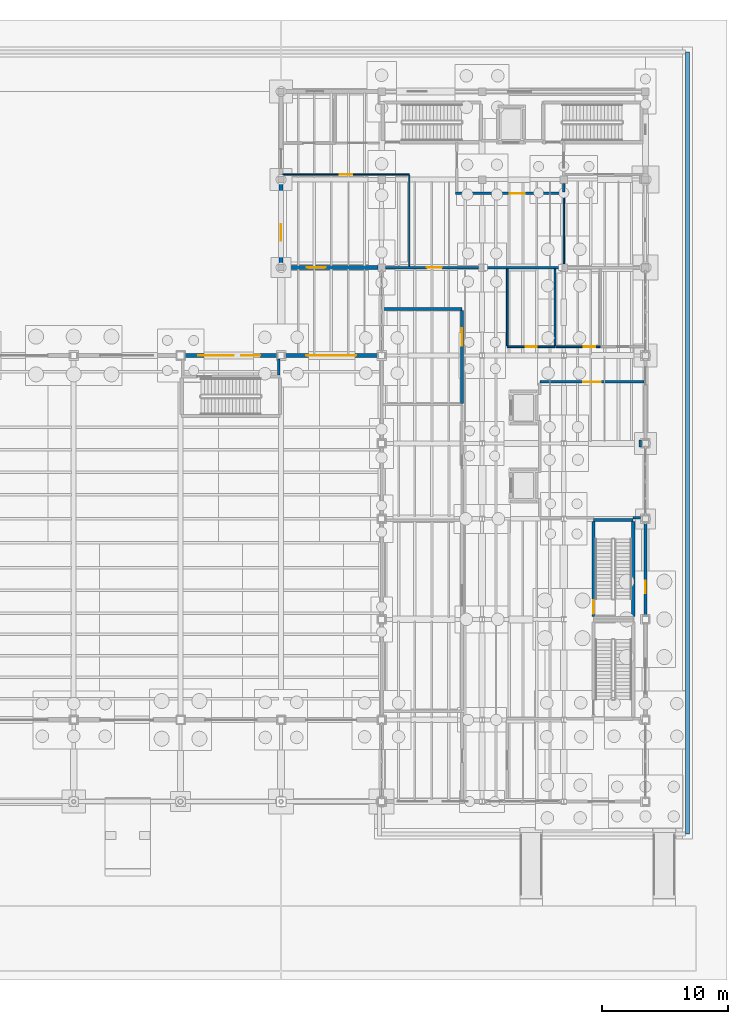
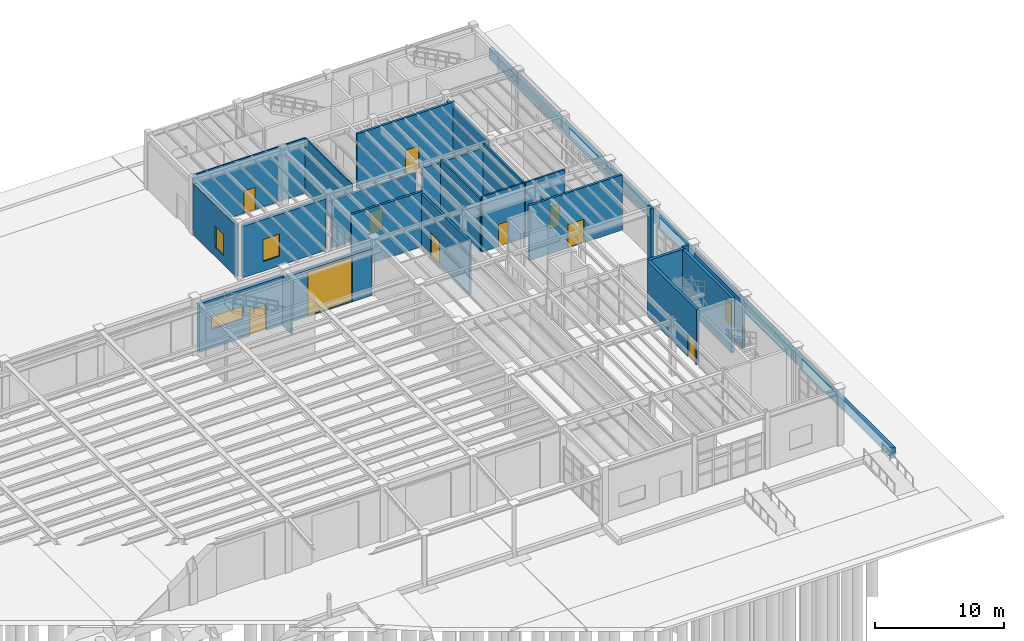
# One storey, part 69 of 86: 26 walls, 10 doors, 4 windows, 14 openings.
"""IFC4 building model written with IfcOpenShell, lengths in metres."""

from ifc_helpers import new_model, si_unit, direction, frame, frame_2d, origin, place, context, subcontext, project, spatial, rectangle, extrude, material, layer, layer_set, type_object, element, fill, save


model = new_model("IFC4")

# Units and contexts
model_context = context("Model", 3, precision=1e-05, world=origin(), true_north=direction((0.0, 1.0)))
body_context = subcontext(model_context, "Body", "Model", "MODEL_VIEW")
ifc_project = project(units=[si_unit("LENGTHUNIT", "METRE"), si_unit("AREAUNIT", "SQUARE_METRE"), si_unit("VOLUMEUNIT", "CUBIC_METRE"), si_unit("PLANEANGLEUNIT", "RADIAN"), si_unit("MASSUNIT", "GRAM", prefix="KILO"), si_unit("THERMODYNAMICTEMPERATUREUNIT", "KELVIN"), si_unit("POWERUNIT", "WATT")], contexts=[model_context])

# Site, building, storey
site_placement = place(None, origin())
site = spatial("IfcSite", under=ifc_project, at=site_placement, CompositionType="ELEMENT")
building_placement = place(site_placement, origin())
building = spatial("IfcBuilding", under=site, at=building_placement, Name="Zhenchuan Central Fire Station", CompositionType="ELEMENT")
storey_placement = place(building_placement, frame((0.0, 0.0, 0.449951171875)))
storey = spatial("IfcBuildingStorey", under=building, at=storey_placement, Name="L01", CompositionType="ELEMENT", Elevation=0.449951171875)

# Wall, opening, window
ifc_material_1 = material(Name="Sintered clay brick masonry MU15", Category="masonry")
ifc_layer_1 = layer(ifc_material_1, 0.300048828125, Name="Sintered clay brick masonry MU15", Category="masonry")
ifc_layer_set_1 = layer_set([ifc_layer_1], Name="Sintered clay brick masonry MU15")
wall_type_1 = type_object("IfcWallType", Name="EW-BRK300", PredefinedType="SOLIDWALL", material=ifc_layer_set_1)
wall_1_placement = place(storey_placement, frame((132.0, 42.75, 0.0), z_axis=(0.0, 0.0, 1.0), x_axis=(0.0, 1.0, 0.0)))
wall_1 = element("IfcWall", 1, at=wall_1_placement, inside=storey, type_object=wall_type_1, Name="EW-L01-V6W-0", PredefinedType="SOLIDWALL", context=body_context, shape_type="SweptSolid", body=[
    extrude(rectangle(XDim=6.5, YDim=0.300048828125, at=frame_2d((3.25, 0.0))), origin(), (0.0, 0.0, 1.0), 4.85400390625),
])
opening_1_placement = place(wall_1_placement, frame((1.89990234375, 0.0, 0.85009765625)))
opening_1 = element("IfcOpeningElement", 2, at=opening_1_placement, cuts=wall_1, Name="Opening W-33", PredefinedType="OPENING", context=body_context, shape_type="SweptSolid", body=[
    extrude(rectangle(XDim=1.300048828125, YDim=2.0, at=frame_2d((0.64990234375, 1.0))), frame((0.0, 0.159912109375, 0.0), z_axis=(0.0, -1.0, 0.0), x_axis=(1.0, 0.0, 0.0)), (0.0, 0.0, 1.0), 0.320068359375),
])
ifc_material_2 = material(Name="Laminated low-E double glazing in aluminium frame", Category="aluminium")
window_type_1 = type_object("IfcWindowType", Name="WN-33", PartitioningType="SINGLE_PANEL", PredefinedType="WINDOW", material=ifc_material_2)
window_1_placement = place(opening_1_placement, origin())
window_1 = element("IfcWindow", 3, at=window_1_placement, inside=storey, type_object=window_type_1, Name="Exterior Window 0104", OverallHeight=2.0, OverallWidth=1.300048828125, PartitioningType="SINGLE_PANEL", PredefinedType="WINDOW", context=body_context, shape_type="SweptSolid", body=[
    extrude(rectangle(XDim=1.300048828125, YDim=2.0, at=frame_2d((0.64990234375, 1.0))), frame((0.0, 0.030029296875, 0.0), z_axis=(0.0, -1.0, 0.0), x_axis=(1.0, 0.0, 0.0)), (0.0, 0.0, 1.0), 0.06005859375),
])
fill(opening_1, window_1)

wall_2_placement = place(storey_placement, frame((132.25, 42.5, 0.0), z_axis=(0.0, 0.0, 1.0), x_axis=(1.0, 0.0, 0.0)))
wall_2 = element("IfcWall", 4, at=wall_2_placement, inside=storey, type_object=wall_type_1, Name="EW-L01-V6S-0", PredefinedType="SOLIDWALL", context=body_context, shape_type="SweptSolid", body=[
    extrude(rectangle(XDim=7.449951171875, YDim=0.300048828125, at=frame_2d((3.72509765625, 0.0))), origin(), (0.0, 0.0, 1.0), 4.85400390625),
])
opening_2_placement = place(wall_2_placement, frame((1.800048828125, 0.0, 0.89990234375)))
opening_2 = element("IfcOpeningElement", 5, at=opening_2_placement, cuts=wall_2, Name="Opening W-34", PredefinedType="OPENING", context=body_context, shape_type="SweptSolid", body=[
    extrude(rectangle(XDim=1.5, YDim=2.10009765625, at=frame_2d((0.75, 1.050048828125))), frame((0.0, 0.159912109375, 0.0), z_axis=(0.0, -1.0, 0.0), x_axis=(1.0, 0.0, 0.0)), (0.0, 0.0, 1.0), 0.320068359375),
])
window_type_2 = type_object("IfcWindowType", Name="WN-34", PartitioningType="SINGLE_PANEL", PredefinedType="WINDOW", material=ifc_material_2)
window_2_placement = place(opening_2_placement, origin())
window_2 = element("IfcWindow", 6, at=window_2_placement, inside=storey, type_object=window_type_2, Name="Exterior Window 0105", OverallHeight=2.10009765625, OverallWidth=1.5, PartitioningType="SINGLE_PANEL", PredefinedType="WINDOW", context=body_context, shape_type="SweptSolid", body=[
    extrude(rectangle(XDim=1.5, YDim=2.10009765625, at=frame_2d((0.75, 1.050048828125))), frame((0.0, 0.030029296875, 0.0), z_axis=(0.0, -1.0, 0.0), x_axis=(1.0, 0.0, 0.0)), (0.0, 0.0, 1.0), 0.06005859375),
])
fill(opening_2, window_2)

# Wall, openings, door, window
ifc_layer_2 = layer(ifc_material_1, 0.35009765625, Name="Sintered clay brick masonry MU15", Category="masonry")
ifc_layer_set_2 = layer_set([ifc_layer_2], Name="Sintered clay brick masonry MU15")
wall_type_2 = type_object("IfcWallType", Name="EW-BRK350", PredefinedType="SOLIDWALL", material=ifc_layer_set_2)
wall_3_placement = place(storey_placement, frame((124.324951171875, 35.5, 0.0), z_axis=(0.0, 0.0, 1.0), x_axis=(1.0, 0.0, 0.0)))
wall_3 = element("IfcWall", 7, at=wall_3_placement, inside=storey, type_object=wall_type_2, Name="Appliance Bay 09 North Sintered Brick Return Wall", PredefinedType="SOLIDWALL", context=body_context, shape_type="SweptSolid", body=[
    extrude(rectangle(XDim=7.400146484375, YDim=0.35009765625, at=frame_2d((3.7001953125, 0.0))), origin(), (0.0, 0.0, 1.0), 4.60595703125),
])
opening_3_placement = place(wall_3_placement, frame((4.5, 0.0, 0.0)))
opening_3 = element("IfcOpeningElement", 8, at=opening_3_placement, cuts=wall_3, Name="Opening EX-002", PredefinedType="OPENING", context=body_context, shape_type="SweptSolid", body=[
    extrude(rectangle(XDim=1.5, YDim=2.39990234375, at=frame_2d((0.75, 1.199951171875))), frame((0.0, 0.18505859375, 0.0), z_axis=(0.0, -1.0, 0.0), x_axis=(1.0, 0.0, 0.0)), (0.0, 0.0, 1.0), 0.3701171875),
])
opening_4_placement = place(wall_3_placement, frame((1.10009765625, 0.0, 1.800048828125)))
opening_4 = element("IfcOpeningElement", 9, at=opening_4_placement, cuts=wall_3, Name="Opening W-38", PredefinedType="OPENING", context=body_context, shape_type="SweptSolid", body=[
    extrude(rectangle(XDim=2.800048828125, YDim=1.199951171875, at=frame_2d((1.39990234375, 0.60009765625))), frame((0.0, 0.18505859375, 0.0), z_axis=(0.0, -1.0, 0.0), x_axis=(1.0, 0.0, 0.0)), (0.0, 0.0, 1.0), 0.3701171875),
])
ifc_material_3 = material(Name="Powder-coated steel fire exit door", Category="steel")
door_type_1 = type_object("IfcDoorType", Name="ED-150x240", OperationType="NOTDEFINED", PredefinedType="DOOR", material=ifc_material_3)
door_1_placement = place(opening_3_placement, origin())
door_1 = element("IfcDoor", 10, at=door_1_placement, inside=storey, type_object=door_type_1, Name="Appliance Bay 09 North Courtyard Exit Door", OperationType="SINGLE_SWING_RIGHT", OverallHeight=2.39990234375, OverallWidth=1.5, PredefinedType="DOOR", context=body_context, shape_type="SweptSolid", body=[
    extrude(rectangle(XDim=1.5, YDim=2.39990234375, at=frame_2d((0.75, 1.199951171875))), frame((0.0, 0.02490234375, 0.0), z_axis=(0.0, -1.0, 0.0), x_axis=(1.0, 0.0, 0.0)), (0.0, 0.0, 1.0), 0.050048828125),
])
fill(opening_3, door_1)
window_type_3 = type_object("IfcWindowType", Name="WN-38", PartitioningType="SINGLE_PANEL", PredefinedType="WINDOW", material=ifc_material_2)
window_3_placement = place(opening_4_placement, origin())
window_3 = element("IfcWindow", 11, at=window_3_placement, inside=storey, type_object=window_type_3, Name="Exterior Window 0002", OverallHeight=1.199951171875, OverallWidth=2.800048828125, PartitioningType="SINGLE_PANEL", PredefinedType="WINDOW", context=body_context, shape_type="SweptSolid", body=[
    extrude(rectangle(XDim=2.800048828125, YDim=1.199951171875, at=frame_2d((1.39990234375, 0.60009765625))), frame((0.0, 0.030029296875, 0.0), z_axis=(0.0, -1.0, 0.0), x_axis=(1.0, 0.0, 0.0)), (0.0, 0.0, 1.0), 0.06005859375),
])
fill(opening_4, window_3)

# Wall, opening, door
wall_4_placement = place(storey_placement, frame((132.27490234375, 35.5, 0.0), z_axis=(0.0, 0.0, 1.0), x_axis=(1.0, 0.0, 0.0)))
wall_4 = element("IfcWall", 12, at=wall_4_placement, inside=storey, type_object=wall_type_2, Name="Appliance Bay 10 North Sintered Brick Return Wall", PredefinedType="SOLIDWALL", context=body_context, shape_type="SweptSolid", body=[
    extrude(rectangle(XDim=7.4501953125, YDim=0.35009765625, at=frame_2d((3.72509765625, 0.0))), origin(), (0.0, 0.0, 1.0), 4.39404296875),
])
opening_5_placement = place(wall_4_placement, frame((1.72509765625, 0.0, 0.0)))
opening_5 = element("IfcOpeningElement", 13, at=opening_5_placement, cuts=wall_4, Name="Opening BG-018", PredefinedType="OPENING", context=body_context, shape_type="SweptSolid", body=[
    extrude(rectangle(XDim=4.0, YDim=4.243896484375, at=frame_2d((2.0, 2.1220703125))), frame((0.0, 0.18505859375, 0.0), z_axis=(0.0, -1.0, 0.0), x_axis=(1.0, 0.0, 0.0)), (0.0, 0.0, 1.0), 0.3701171875),
])
ifc_material_4 = material(Name="Anodised aluminium and laminated glazing", Category="aluminium")
door_type_2 = type_object("IfcDoorType", Name="DG-BAY-400x440", OperationType="NOTDEFINED", PredefinedType="GATE", material=ifc_material_4)
door_2_placement = place(opening_5_placement, origin())
door_2 = element("IfcDoor", 14, at=door_2_placement, inside=storey, type_object=door_type_2, Name="Appliance North Glazed Bi-Fold Gate 10", OperationType="FOLDING_TO_RIGHT", OverallHeight=4.243896484375, OverallWidth=4.0, PredefinedType="GATE", context=body_context, shape_type="SweptSolid", body=[
    extrude(rectangle(XDim=4.0, YDim=4.243896484375, at=frame_2d((2.0, 2.1220703125))), frame((0.0, 0.02490234375, 0.0), z_axis=(0.0, -1.0, 0.0), x_axis=(1.0, 0.0, 0.0)), (0.0, 0.0, 1.0), 0.050048828125),
])
fill(opening_5, door_2)

# Wall
ifc_material_5 = material(Name="Concrete C35/45", Category="concrete")
ifc_layer_3 = layer(ifc_material_5, 0.320068359375, Name="Concrete C35/45", Category="concrete")
ifc_layer_set_3 = layer_set([ifc_layer_3], Name="Concrete C35/45")
wall_type_3 = type_object("IfcWallType", Name="EW-PLN320", PredefinedType="SOLIDWALL", material=ifc_layer_set_3)
wall_5_placement = place(storey_placement, frame((164.362060546875, -2.56201171875, -1.0), z_axis=(0.0, 0.0, 1.0), x_axis=(0.0, 1.0, 0.0)))
element("IfcWall", 15, at=wall_5_placement, inside=storey, type_object=wall_type_3, Name="Plinth Perimeter Retaining Stem Wall EAST", PredefinedType="SOLIDWALL", context=body_context, shape_type="SweptSolid", body=[
    extrude(rectangle(XDim=62.22412109375, YDim=0.320068359375, at=frame_2d((31.112060546875, 0.0))), origin(), (0.0, 0.0, 1.0), 1.0),
])

# Wall, opening, window
ifc_material_6 = material(Name="Precast concrete C40/50", Category="concrete")
ifc_layer_4 = layer(ifc_material_6, 0.219970703125, Name="Precast concrete C40/50", Category="concrete")
ifc_layer_set_4 = layer_set([ifc_layer_4], Name="Precast concrete C40/50")
wall_type_4 = type_object("IfcWallType", Name="EW-PRC220", PredefinedType="SOLIDWALL", material=ifc_layer_set_4)
wall_6_placement = place(storey_placement, frame((161.0, 14.77490234375, 0.0), z_axis=(0.0, 0.0, 1.0), x_axis=(0.0, 1.0, 0.0)))
wall_6 = element("IfcWall", 16, at=wall_6_placement, inside=storey, type_object=wall_type_4, Name="EW-L01-V2E-2", PredefinedType="SOLIDWALL", context=body_context, shape_type="SweptSolid", body=[
    extrude(rectangle(XDim=7.4501953125, YDim=0.219970703125, at=frame_2d((3.72509765625, 0.0))), origin(), (0.0, 0.0, 1.0), 4.5439453125),
])
opening_6_placement = place(wall_6_placement, frame((1.800048828125, 0.0, 1.050048828125)))
opening_6 = element("IfcOpeningElement", 17, at=opening_6_placement, cuts=wall_6, Name="Opening W-31", PredefinedType="OPENING", context=body_context, shape_type="SweptSolid", body=[
    extrude(rectangle(XDim=1.0, YDim=2.0, at=frame_2d((0.5, 1.0))), frame((0.0, 0.119873046875, 0.0), z_axis=(0.0, -1.0, 0.0), x_axis=(1.0, 0.0, 0.0)), (0.0, 0.0, 1.0), 0.239990234375),
])
window_type_4 = type_object("IfcWindowType", Name="WN-31", PartitioningType="SINGLE_PANEL", PredefinedType="WINDOW", material=ifc_material_2)
window_4_placement = place(opening_6_placement, origin())
window_4 = element("IfcWindow", 18, at=window_4_placement, inside=storey, type_object=window_type_4, Name="Exterior Window 0087", OverallHeight=2.0, OverallWidth=1.0, PartitioningType="SINGLE_PANEL", PredefinedType="WINDOW", context=body_context, shape_type="SweptSolid", body=[
    extrude(rectangle(XDim=1.0, YDim=2.0, at=frame_2d((0.5, 1.0))), frame((0.0, 0.030029296875, 0.0), z_axis=(0.0, -1.0, 0.0), x_axis=(1.0, 0.0, 0.0)), (0.0, 0.0, 1.0), 0.06005859375),
])
fill(opening_6, window_4)

# Wall, opening, door
ifc_material_7 = material(Name="Autoclaved aerated concrete blockwork", Category="masonry")
ifc_layer_5 = layer(ifc_material_7, 0.14990234375, Name="Autoclaved aerated concrete blockwork", Category="masonry")
ifc_layer_set_5 = layer_set([ifc_layer_5], Name="Autoclaved aerated concrete blockwork")
wall_type_5 = type_object("IfcWallType", Name="IW-BLK150", PredefinedType="PARTITIONING", material=ifc_layer_set_5)
wall_7_placement = place(storey_placement, frame((150.0, 36.199951171875, 0.0), z_axis=(0.0, 0.0, 1.0), x_axis=(1.0, 0.0, 0.0)))
wall_7 = element("IfcWall", 19, at=wall_7_placement, inside=storey, type_object=wall_type_5, Name="Headquarters Male WC S Partition", PredefinedType="PARTITIONING", context=body_context, shape_type="SweptSolid", body=[
    extrude(rectangle(XDim=3.800048828125, YDim=0.14990234375, at=frame_2d((1.89990234375, 0.0))), origin(), (0.0, 0.0, 1.0), 5.199951171875),
])
opening_7_placement = place(wall_7_placement, frame((1.4599609375, 0.0, 0.0)))
opening_7 = element("IfcOpeningElement", 20, at=opening_7_placement, cuts=wall_7, Name="Opening D-093", PredefinedType="OPENING", context=body_context, shape_type="SweptSolid", body=[
    extrude(rectangle(XDim=0.8798828125, YDim=2.10009765625, at=frame_2d((0.43994140625, 1.050048828125))), frame((0.0, 0.0849609375, 0.0), z_axis=(0.0, -1.0, 0.0), x_axis=(1.0, 0.0, 0.0)), (0.0, 0.0, 1.0), 0.169921875),
])
ifc_material_8 = material(Name="Moisture-resistant washroom door")
door_type_3 = type_object("IfcDoorType", Name="ID-WC-088x210", OperationType="NOTDEFINED", PredefinedType="DOOR", material=ifc_material_8)
door_3_placement = place(opening_7_placement, origin())
door_3 = element("IfcDoor", 21, at=door_3_placement, inside=storey, type_object=door_type_3, Name="Headquarters Male WC Door", OperationType="SINGLE_SWING_LEFT", OverallHeight=2.10009765625, OverallWidth=0.8798828125, PredefinedType="DOOR", context=body_context, shape_type="SweptSolid", body=[
    extrude(rectangle(XDim=0.8798828125, YDim=2.10009765625, at=frame_2d((0.43994140625, 1.050048828125))), frame((0.0, 0.02490234375, 0.0), z_axis=(0.0, -1.0, 0.0), x_axis=(1.0, 0.0, 0.0)), (0.0, 0.0, 1.0), 0.050048828125),
])
fill(opening_7, door_3)

# Walls
wall_8_placement = place(storey_placement, frame((150.0, 36.278076171875, 0.0), z_axis=(0.0, 0.0, 1.0), x_axis=(0.0, 1.0, 0.0)))
element("IfcWall", 22, at=wall_8_placement, inside=storey, type_object=wall_type_5, Name="Headquarters Male WC W Partition", PredefinedType="PARTITIONING", context=body_context, shape_type="SweptSolid", body=[
    extrude(rectangle(XDim=6.118896484375, YDim=0.14990234375, at=frame_2d((3.0595703125, 0.0))), origin(), (0.0, 0.0, 1.0), 4.949951171875),
])
wall_9_placement = place(storey_placement, frame((153.800048828125, 36.278076171875, 0.0), z_axis=(0.0, 0.0, 1.0), x_axis=(0.0, 1.0, 0.0)))
element("IfcWall", 23, at=wall_9_placement, inside=storey, type_object=wall_type_5, Name="Headquarters Male WC E Partition", PredefinedType="PARTITIONING", context=body_context, shape_type="SweptSolid", body=[
    extrude(rectangle(XDim=6.118896484375, YDim=0.14990234375, at=frame_2d((3.0595703125, 0.0))), origin(), (0.0, 0.0, 1.0), 5.199951171875),
])

# Wall, opening, door
wall_10_placement = place(storey_placement, frame((153.8779296875, 36.199951171875, 0.0), z_axis=(0.0, 0.0, 1.0), x_axis=(1.0, 0.0, 0.0)))
wall_10 = element("IfcWall", 24, at=wall_10_placement, inside=storey, type_object=wall_type_5, Name="Headquarters Female WC S Partition", PredefinedType="PARTITIONING", context=body_context, shape_type="SweptSolid", body=[
    extrude(rectangle(XDim=3.52197265625, YDim=0.14990234375, at=frame_2d((1.760986328125, 0.0))), origin(), (0.0, 0.0, 1.0), 5.199951171875),
])
opening_8_placement = place(wall_10_placement, frame((2.200927734375, 0.0, 0.0)))
opening_8 = element("IfcOpeningElement", 25, at=opening_8_placement, cuts=wall_10, Name="Opening D-094", PredefinedType="OPENING", context=body_context, shape_type="SweptSolid", body=[
    extrude(rectangle(XDim=0.919921875, YDim=2.10009765625, at=frame_2d((0.4599609375, 1.050048828125))), frame((0.0, 0.0849609375, 0.0), z_axis=(0.0, -1.0, 0.0), x_axis=(1.0, 0.0, 0.0)), (0.0, 0.0, 1.0), 0.169921875),
])
ifc_material_9 = material(Name="Moisture-resistant accessible WC door")
door_type_4 = type_object("IfcDoorType", Name="ID-WC-092x210", OperationType="NOTDEFINED", PredefinedType="DOOR", material=ifc_material_9)
door_4_placement = place(opening_8_placement, origin())
door_4 = element("IfcDoor", 26, at=door_4_placement, inside=storey, type_object=door_type_4, Name="Headquarters Female WC Door", OperationType="SINGLE_SWING_RIGHT", OverallHeight=2.10009765625, OverallWidth=0.919921875, PredefinedType="DOOR", context=body_context, shape_type="SweptSolid", body=[
    extrude(rectangle(XDim=0.919921875, YDim=2.10009765625, at=frame_2d((0.4599609375, 1.050048828125))), frame((0.0, 0.02490234375, 0.0), z_axis=(0.0, -1.0, 0.0), x_axis=(1.0, 0.0, 0.0)), (0.0, 0.0, 1.0), 0.050048828125),
])
fill(opening_8, door_4)

# Wall
ifc_layer_6 = layer(ifc_material_7, 0.199951171875, Name="Autoclaved aerated concrete blockwork", Category="masonry")
ifc_layer_set_6 = layer_set([ifc_layer_6], Name="Autoclaved aerated concrete blockwork")
wall_type_6 = type_object("IfcWallType", Name="IW-FIR200", PredefinedType="PARTITIONING", material=ifc_layer_set_6)
wall_11_placement = place(storey_placement, frame((131.804931640625, 33.9541015625, 0.0), z_axis=(0.0, 0.0, 1.0), x_axis=(0.0, 1.0, 0.0)))
element("IfcWall", 27, at=wall_11_placement, inside=storey, type_object=wall_type_6, Name="ST-09 Protected Exit Vestibule East Fire Wall", PredefinedType="PARTITIONING", context=body_context, shape_type="SweptSolid", body=[
    extrude(rectangle(XDim=1.266845703125, YDim=0.199951171875, at=frame_2d((0.63330078125, 0.0))), origin(), (0.0, 0.0, 1.0), 4.72998046875),
])

# Wall, opening, door
wall_12_placement = place(storey_placement, frame((140.302001953125, 42.5, 0.0), z_axis=(0.0, 0.0, 1.0), x_axis=(1.0, 0.0, 0.0)))
wall_12 = element("IfcWall", 28, at=wall_12_placement, inside=storey, type_object=wall_type_6, Name="L01 HQ-Tower Fire Compartment Wall X=140.0..148.0", PredefinedType="PARTITIONING", context=body_context, shape_type="SweptSolid", body=[
    extrude(rectangle(XDim=7.39599609375, YDim=0.199951171875, at=frame_2d((3.697998046875, 0.0))), origin(), (0.0, 0.0, 1.0), 4.494140625),
])
opening_9_placement = place(wall_12_placement, frame((3.298095703125, 0.0, 0.0)))
opening_9 = element("IfcOpeningElement", 29, at=opening_9_placement, cuts=wall_12, Name="Opening D-044", PredefinedType="OPENING", context=body_context, shape_type="SweptSolid", body=[
    extrude(rectangle(XDim=1.199951171875, YDim=2.14990234375, at=frame_2d((0.60009765625, 1.074951171875))), frame((0.0, 0.10986328125, 0.0), z_axis=(0.0, -1.0, 0.0), x_axis=(1.0, 0.0, 0.0)), (0.0, 0.0, 1.0), 0.219970703125),
])
ifc_material_10 = material(Name="Smoke-sealed steel fire lobby door", Category="steel")
door_type_5 = type_object("IfcDoorType", Name="ID-FFL-120x215", OperationType="NOTDEFINED", PredefinedType="DOOR", material=ifc_material_10)
door_5_placement = place(opening_9_placement, origin())
door_5 = element("IfcDoor", 30, at=door_5_placement, inside=storey, type_object=door_type_5, Name="V2-V6 L01 Link Fire Door", OperationType="SINGLE_SWING_RIGHT", OverallHeight=2.14990234375, OverallWidth=1.199951171875, PredefinedType="DOOR", context=body_context, shape_type="SweptSolid", body=[
    extrude(rectangle(XDim=1.199951171875, YDim=2.14990234375, at=frame_2d((0.60009765625, 1.074951171875))), frame((0.0, 0.02490234375, 0.0), z_axis=(0.0, -1.0, 0.0), x_axis=(1.0, 0.0, 0.0)), (0.0, 0.0, 1.0), 0.050048828125),
])
fill(opening_9, door_5)

# Wall
wall_13_placement = place(storey_placement, frame((148.302001953125, 42.5, 0.0), z_axis=(0.0, 0.0, 1.0), x_axis=(1.0, 0.0, 0.0)))
element("IfcWall", 31, at=wall_13_placement, inside=storey, type_object=wall_type_6, Name="L01 HQ-Tower Fire Compartment Wall X=148.0..154.5", PredefinedType="PARTITIONING", context=body_context, shape_type="SweptSolid", body=[
    extrude(rectangle(XDim=5.89599609375, YDim=0.199951171875, at=frame_2d((2.947998046875, 0.0))), origin(), (0.0, 0.0, 1.0), 4.694091796875),
])

# Wall, opening, door
wall_14_placement = place(storey_placement, frame((145.89990234375, 48.39990234375, 0.0), z_axis=(0.0, 0.0, 1.0), x_axis=(1.0, 0.0, 0.0)))
wall_14 = element("IfcWall", 32, at=wall_14_placement, inside=storey, type_object=wall_type_6, Name="L01 Firefighting Lift Lobby South Wall", PredefinedType="PARTITIONING", context=body_context, shape_type="SweptSolid", body=[
    extrude(rectangle(XDim=8.7001953125, YDim=0.199951171875, at=frame_2d((4.35009765625, 0.0))), origin(), (0.0, 0.0, 1.0), 5.199951171875),
])
opening_10_placement = place(wall_14_placement, frame((4.300048828125, 0.0, 0.0)))
opening_10 = element("IfcOpeningElement", 33, at=opening_10_placement, cuts=wall_14, Name="Opening D-048", PredefinedType="OPENING", context=body_context, shape_type="SweptSolid", body=[
    extrude(rectangle(XDim=1.199951171875, YDim=2.14990234375, at=frame_2d((0.60009765625, 1.074951171875))), frame((0.0, 0.10986328125, 0.0), z_axis=(0.0, -1.0, 0.0), x_axis=(1.0, 0.0, 0.0)), (0.0, 0.0, 1.0), 0.219970703125),
])
door_6_placement = place(opening_10_placement, origin())
door_6 = element("IfcDoor", 34, at=door_6_placement, inside=storey, type_object=door_type_5, Name="L01 Firefighting Lift Lobby South Door", OperationType="SINGLE_SWING_RIGHT", OverallHeight=2.14990234375, OverallWidth=1.199951171875, PredefinedType="DOOR", context=body_context, shape_type="SweptSolid", body=[
    extrude(rectangle(XDim=1.199951171875, YDim=2.14990234375, at=frame_2d((0.60009765625, 1.074951171875))), frame((0.0, 0.02490234375, 0.0), z_axis=(0.0, -1.0, 0.0), x_axis=(1.0, 0.0, 0.0)), (0.0, 0.0, 1.0), 0.050048828125),
])
fill(opening_10, door_6)

# Walls
wall_15_placement = place(storey_placement, frame((154.5, 48.50390625, 0.0), z_axis=(0.0, 0.0, 1.0), x_axis=(0.0, 1.0, 0.0)))
element("IfcWall", 35, at=wall_15_placement, inside=storey, type_object=wall_type_6, Name="L01 Firefighting Lift Lobby South-East Pier Wall", PredefinedType="PARTITIONING", context=body_context, shape_type="SweptSolid", body=[
    extrude(rectangle(XDim=0.692138671875, YDim=0.199951171875, at=frame_2d((0.34619140625, 0.0))), origin(), (0.0, 0.0, 1.0), 4.85400390625),
])
wall_16_placement = place(storey_placement, frame((140.0830078125, 39.199951171875, 0.0), z_axis=(0.0, 0.0, 1.0), x_axis=(1.0, 0.0, 0.0)))
element("IfcWall", 36, at=wall_16_placement, inside=storey, type_object=wall_type_6, Name="Incident Records and Archive Room N Partition", PredefinedType="PARTITIONING", context=body_context, shape_type="SweptSolid", body=[
    extrude(rectangle(XDim=6.31689453125, YDim=0.199951171875, at=frame_2d((3.158447265625, 0.0))), origin(), (0.0, 0.0, 1.0), 5.199951171875),
])

# Wall, opening, door
wall_17_placement = place(storey_placement, frame((146.39990234375, 31.6630859375, 0.0), z_axis=(0.0, 0.0, 1.0), x_axis=(0.0, 1.0, 0.0)))
wall_17 = element("IfcWall", 37, at=wall_17_placement, inside=storey, type_object=wall_type_6, Name="Incident Records and Archive Room E Partition", PredefinedType="PARTITIONING", context=body_context, shape_type="SweptSolid", body=[
    extrude(rectangle(XDim=7.433837890625, YDim=0.199951171875, at=frame_2d((3.716796875, 0.0))), origin(), (0.0, 0.0, 1.0), 4.994140625),
])
opening_11_placement = place(wall_17_placement, frame((4.616943359375, 0.0, 0.0)))
opening_11 = element("IfcOpeningElement", 38, at=opening_11_placement, cuts=wall_17, Name="Opening D-090", PredefinedType="OPENING", context=body_context, shape_type="SweptSolid", body=[
    extrude(rectangle(XDim=1.39990234375, YDim=2.199951171875, at=frame_2d((0.699951171875, 1.10009765625))), frame((0.0, 0.10986328125, 0.0), z_axis=(0.0, -1.0, 0.0), x_axis=(1.0, 0.0, 0.0)), (0.0, 0.0, 1.0), 0.219970703125),
])
ifc_material_11 = material(Name="Galvanised steel plant room fire door", Category="steel")
door_type_6 = type_object("IfcDoorType", Name="ID-PLT-140x220", OperationType="NOTDEFINED", PredefinedType="DOOR", material=ifc_material_11)
door_7_placement = place(opening_11_placement, origin())
door_7 = element("IfcDoor", 39, at=door_7_placement, inside=storey, type_object=door_type_6, Name="Incident Records and Archive Room Door", OperationType="SINGLE_SWING_RIGHT", OverallHeight=2.199951171875, OverallWidth=1.39990234375, PredefinedType="DOOR", context=body_context, shape_type="SweptSolid", body=[
    extrude(rectangle(XDim=1.39990234375, YDim=2.199951171875, at=frame_2d((0.699951171875, 1.10009765625))), frame((0.0, 0.02490234375, 0.0), z_axis=(0.0, -1.0, 0.0), x_axis=(1.0, 0.0, 0.0)), (0.0, 0.0, 1.0), 0.050048828125),
])
fill(opening_11, door_7)

# Wall
wall_18_placement = place(storey_placement, frame((160.028076171875, 22.60009765625, 0.0), z_axis=(0.0, 0.0, 1.0), x_axis=(1.0, 0.0, 0.0)))
element("IfcWall", 40, at=wall_18_placement, inside=storey, type_object=wall_type_6, Name="Telecommunications Server Room S Partition 3", PredefinedType="PARTITIONING", context=body_context, shape_type="SweptSolid", body=[
    extrude(rectangle(XDim=0.572021484375, YDim=0.199951171875, at=frame_2d((0.2861328125, 0.0))), origin(), (0.0, 0.0, 1.0), 5.199951171875),
])

# Wall, opening, door
wall_19_placement = place(storey_placement, frame((152.60009765625, 33.39990234375, 0.0), z_axis=(0.0, 0.0, 1.0), x_axis=(1.0, 0.0, 0.0)))
wall_19 = element("IfcWall", 41, at=wall_19_placement, inside=storey, type_object=wall_type_6, Name="Telecommunications Server Room N Partition", PredefinedType="PARTITIONING", context=body_context, shape_type="SweptSolid", body=[
    extrude(rectangle(XDim=8.286865234375, YDim=0.199951171875, at=frame_2d((4.1435546875, 0.0))), origin(), (0.0, 0.0, 1.0), 5.199951171875),
])
opening_12_placement = place(wall_19_placement, frame((3.443603515625, 0.0, 0.0)))
opening_12 = element("IfcOpeningElement", 42, at=opening_12_placement, cuts=wall_19, Name="Opening D-092", PredefinedType="OPENING", context=body_context, shape_type="SweptSolid", body=[
    extrude(rectangle(XDim=1.39990234375, YDim=2.199951171875, at=frame_2d((0.699951171875, 1.10009765625))), frame((0.0, 0.10986328125, 0.0), z_axis=(0.0, -1.0, 0.0), x_axis=(1.0, 0.0, 0.0)), (0.0, 0.0, 1.0), 0.219970703125),
])
door_8_placement = place(opening_12_placement, origin())
door_8 = element("IfcDoor", 43, at=door_8_placement, inside=storey, type_object=door_type_6, Name="Telecommunications Server Room Door", OperationType="SINGLE_SWING_RIGHT", OverallHeight=2.199951171875, OverallWidth=1.39990234375, PredefinedType="DOOR", context=body_context, shape_type="SweptSolid", body=[
    extrude(rectangle(XDim=1.39990234375, YDim=2.199951171875, at=frame_2d((0.699951171875, 1.10009765625))), frame((0.0, 0.02490234375, 0.0), z_axis=(0.0, -1.0, 0.0), x_axis=(1.0, 0.0, 0.0)), (0.0, 0.0, 1.0), 0.050048828125),
])
fill(opening_12, door_8)

# Wall
wall_20_placement = place(storey_placement, frame((160.60009765625, 28.202880859375, 0.0), z_axis=(0.0, 0.0, 1.0), x_axis=(0.0, 1.0, 0.0)))
element("IfcWall", 44, at=wall_20_placement, inside=storey, type_object=wall_type_6, Name="Telecommunications Server Room E Partition", PredefinedType="PARTITIONING", context=body_context, shape_type="SweptSolid", body=[
    extrude(rectangle(XDim=0.569091796875, YDim=0.199951171875, at=frame_2d((0.28466796875, 0.0))), origin(), (0.0, 0.0, 1.0), 5.199951171875),
])

# Wall, opening, door
ifc_material_12 = material(Name="Gypsum plasterboard on steel studs", Category="gypsum")
ifc_layer_7 = layer(ifc_material_12, 0.10009765625, Name="Gypsum plasterboard on steel studs", Category="gypsum")
ifc_layer_set_7 = layer_set([ifc_layer_7], Name="Gypsum plasterboard on steel studs")
wall_type_7 = type_object("IfcWallType", Name="IW-GYP100", PredefinedType="PARTITIONING", material=ifc_layer_set_7)
wall_21_placement = place(storey_placement, frame((132.153076171875, 49.89990234375, 0.0), z_axis=(0.0, 0.0, 1.0), x_axis=(1.0, 0.0, 0.0)))
wall_21 = element("IfcWall", 45, at=wall_21_placement, inside=storey, type_object=wall_type_7, Name="Hydrant and Pump Drill Room N Partition", PredefinedType="PARTITIONING", context=body_context, shape_type="SweptSolid", body=[
    extrude(rectangle(XDim=10.046875, YDim=0.10009765625, at=frame_2d((5.0234375, 0.0))), origin(), (0.0, 0.0, 1.0), 5.199951171875),
])
opening_13_placement = place(wall_21_placement, frame((4.5234375, 0.0, 0.0)))
opening_13 = element("IfcOpeningElement", 46, at=opening_13_placement, cuts=wall_21, Name="Opening D-096", PredefinedType="OPENING", context=body_context, shape_type="SweptSolid", body=[
    extrude(rectangle(XDim=1.0, YDim=2.10009765625, at=frame_2d((0.5, 1.050048828125))), frame((0.0, 0.06005859375, 0.0), z_axis=(0.0, -1.0, 0.0), x_axis=(1.0, 0.0, 0.0)), (0.0, 0.0, 1.0), 0.1201171875),
])
ifc_material_13 = material(Name="Solid-core timber office door", Category="wood")
door_type_7 = type_object("IfcDoorType", Name="ID-OFF-100x210", OperationType="NOTDEFINED", PredefinedType="DOOR", material=ifc_material_13)
door_9_placement = place(opening_13_placement, origin())
door_9 = element("IfcDoor", 47, at=door_9_placement, inside=storey, type_object=door_type_7, Name="Hydrant and Pump Drill Room Door", OperationType="SINGLE_SWING_RIGHT", OverallHeight=2.10009765625, OverallWidth=1.0, PredefinedType="DOOR", context=body_context, shape_type="SweptSolid", body=[
    extrude(rectangle(XDim=1.0, YDim=2.10009765625, at=frame_2d((0.5, 1.050048828125))), frame((0.0, 0.02490234375, 0.0), z_axis=(0.0, -1.0, 0.0), x_axis=(1.0, 0.0, 0.0)), (0.0, 0.0, 1.0), 0.050048828125),
])
fill(opening_13, door_9)

# Walls
wall_22_placement = place(storey_placement, frame((142.199951171875, 42.60302734375, 0.0), z_axis=(0.0, 0.0, 1.0), x_axis=(0.0, 1.0, 0.0)))
element("IfcWall", 48, at=wall_22_placement, inside=storey, type_object=wall_type_7, Name="Hydrant and Pump Drill Room E Partition", PredefinedType="PARTITIONING", context=body_context, shape_type="SweptSolid", body=[
    extrude(rectangle(XDim=7.243896484375, YDim=0.10009765625, at=frame_2d((3.6220703125, 0.0))), origin(), (0.0, 0.0, 1.0), 5.199951171875),
])
ifc_layer_8 = layer(ifc_material_12, 0.1201171875, Name="Gypsum plasterboard on steel studs", Category="gypsum")
ifc_layer_set_8 = layer_set([ifc_layer_8], Name="Gypsum plasterboard on steel studs")
wall_type_8 = type_object("IfcWallType", Name="IW-GYP120", PredefinedType="PARTITIONING", material=ifc_layer_set_8)
wall_23_placement = place(storey_placement, frame((154.5, 42.802978515625, 0.0), z_axis=(0.0, 0.0, 1.0), x_axis=(0.0, 1.0, 0.0)))
element("IfcWall", 49, at=wall_23_placement, inside=storey, type_object=wall_type_8, Name="Tower Rigging Gear Store W Partition", PredefinedType="PARTITIONING", context=body_context, shape_type="SweptSolid", body=[
    extrude(rectangle(XDim=5.494140625, YDim=0.1201171875, at=frame_2d((2.7470703125, 0.0))), origin(), (0.0, 0.0, 1.0), 4.85400390625),
])
ifc_material_14 = material(Name="Concrete C40/50", Category="concrete")
ifc_layer_9 = layer(ifc_material_14, 0.25, Name="Concrete C40/50", Category="concrete")
ifc_layer_set_9 = layer_set([ifc_layer_9], Name="Concrete C40/50")
wall_type_9 = type_object("IfcWallType", Name="IW-SHR250", PredefinedType="SHEAR", material=ifc_layer_set_9)
wall_24_placement = place(storey_placement, frame((156.875, 22.405029296875, 0.0), z_axis=(0.0, 0.0, 1.0), x_axis=(1.0, 0.0, 0.0)))
element("IfcWall", 50, at=wall_24_placement, inside=storey, type_object=wall_type_9, Name="ST-11 L01 North Core Wall", PredefinedType="SHEAR", context=body_context, shape_type="SweptSolid", body=[
    extrude(rectangle(XDim=3.14990234375, YDim=0.25, at=frame_2d((1.574951171875, 0.0))), origin(), (0.0, 0.0, 1.0), 5.199951171875),
])

# Wall, opening, door
wall_25_placement = place(storey_placement, frame((156.875, 14.719970703125, 0.0), z_axis=(0.0, 0.0, 1.0), x_axis=(0.0, 1.0, 0.0)))
wall_25 = element("IfcWall", 51, at=wall_25_placement, inside=storey, type_object=wall_type_9, Name="ST-11 L01 West Core Wall", PredefinedType="SHEAR", context=body_context, shape_type="SweptSolid", body=[
    extrude(rectangle(XDim=7.56005859375, YDim=0.25, at=frame_2d((3.780029296875, 0.0))), origin(), (0.0, 0.0, 1.0), 5.199951171875),
])
opening_14_placement = place(wall_25_placement, frame((0.219970703125, 0.0, 0.0)))
opening_14 = element("IfcOpeningElement", 52, at=opening_14_placement, cuts=wall_25, Name="Opening D-026", PredefinedType="OPENING", context=body_context, shape_type="SweptSolid", body=[
    extrude(rectangle(XDim=1.10009765625, YDim=2.14990234375, at=frame_2d((0.550048828125, 1.074951171875))), frame((0.0, 0.135009765625, 0.0), z_axis=(0.0, -1.0, 0.0), x_axis=(1.0, 0.0, 0.0)), (0.0, 0.0, 1.0), 0.27001953125),
])
ifc_material_15 = material(Name="Painted steel acoustic fire door", Category="steel")
door_type_8 = type_object("IfcDoorType", Name="ID-ST-110x215", OperationType="NOTDEFINED", PredefinedType="DOOR", material=ifc_material_15)
door_10_placement = place(opening_14_placement, origin())
door_10 = element("IfcDoor", 53, at=door_10_placement, inside=storey, type_object=door_type_8, Name="ST-11 L01 Fire Door", OperationType="SINGLE_SWING_RIGHT", OverallHeight=2.14990234375, OverallWidth=1.10009765625, PredefinedType="DOOR", context=body_context, shape_type="SweptSolid", body=[
    extrude(rectangle(XDim=1.10009765625, YDim=2.14990234375, at=frame_2d((0.550048828125, 1.074951171875))), frame((0.0, 0.02490234375, 0.0), z_axis=(0.0, -1.0, 0.0), x_axis=(1.0, 0.0, 0.0)), (0.0, 0.0, 1.0), 0.050048828125),
])
fill(opening_14, door_10)

# Wall
wall_26_placement = place(storey_placement, frame((160.02490234375, 14.719970703125, 0.0), z_axis=(0.0, 0.0, 1.0), x_axis=(0.0, 1.0, 0.0)))
element("IfcWall", 54, at=wall_26_placement, inside=storey, type_object=wall_type_9, Name="ST-11 L01 East Core Wall", PredefinedType="SHEAR", context=body_context, shape_type="SweptSolid", body=[
    extrude(rectangle(XDim=7.56005859375, YDim=0.25, at=frame_2d((3.780029296875, 0.0))), origin(), (0.0, 0.0, 1.0), 5.199951171875),
])

save(model, "model.ifc")
